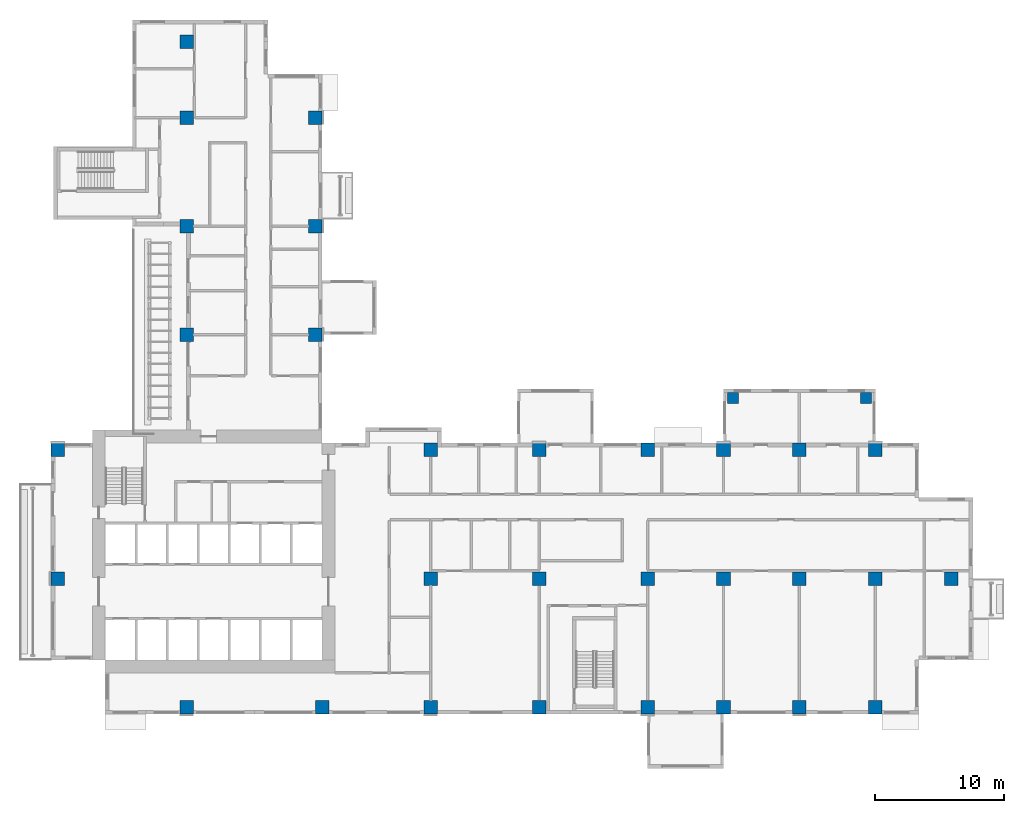
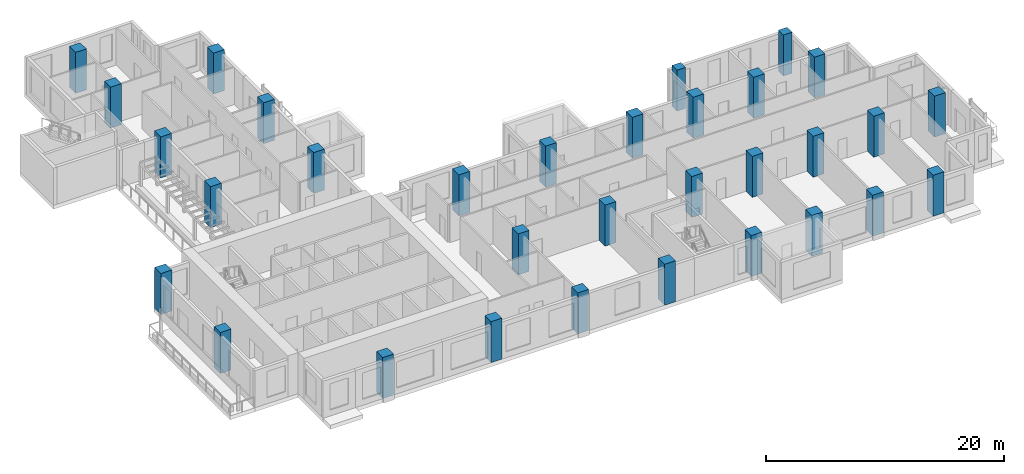
# One storey, part 1 of 16: 32 columns.
"""IFC4 building model written with IfcOpenShell, lengths in metres."""

import ifcopenshell
import ifcopenshell.guid

model = None  # the IFC model being written
_history = None  # IfcOwnerHistory: only IFC2X3 demands one
_inside = {}  # id of a spatial element -> (the spatial element, [elements in it])
_under = {}  # id of a project, library or spatial element -> (it, [spatial elements below it])
_declared = {}  # id of a project -> (the project, [libraries it declares])
_typed = {}  # id of a type object -> (the type object, [elements of that type])
_made_of = {}  # id of a material, layer set ... -> (it, [elements and type objects made of it])


def new_model(schema):
    """Start an empty IFC model of exactly this schema.

    Asked for "IFC4X3", IfcOpenShell would pick the latest addendum, in which some entities
    have other attributes; the version numbers below select the first issue.
    IFC2X3 requires an IfcOwnerHistory on every rooted entity: one is made here for all.
    """
    global model, _history
    if schema == "IFC4X3":
        model = ifcopenshell.file(schema_version=(4, 3, 0, 0))
    else:
        model = ifcopenshell.file(schema=schema)
    _inside.clear()
    _under.clear()
    _declared.clear()
    _typed.clear()
    _made_of.clear()
    _history = None
    if model.schema == "IFC2X3":
        org = make("IfcOrganization", Name="unknown")
        user = make(
            "IfcPersonAndOrganization",
            ThePerson=make("IfcPerson", FamilyName="unknown"),
            TheOrganization=org,
        )
        app = make(
            "IfcApplication",
            ApplicationDeveloper=org,
            Version="unknown",
            ApplicationFullName="unknown",
            ApplicationIdentifier="unknown",
        )
        _history = make(
            "IfcOwnerHistory",
            OwningUser=user,
            OwningApplication=app,
            ChangeAction="ADDED",
            CreationDate=0,
        )
    return model


def make(cls, **values):
    """One entity of the class cls with the attributes given. An attribute that is None is left unset."""
    return model.create_entity(
        cls, **{name: value for name, value in values.items() if value is not None}
    )


def rooted(cls, **values):
    """An entity with a GlobalId (a new one), such as an element, a storey or a relation."""
    return make(cls, GlobalId=ifcopenshell.guid.new(), OwnerHistory=_history, **values)


def si_unit(unit_type, name, prefix=None):
    """IfcSIUnit, for example si_unit("LENGTHUNIT", "METRE", prefix="MILLI")."""
    return make("IfcSIUnit", UnitType=unit_type, Prefix=prefix, Name=name)


def assignment(units):
    """IfcUnitAssignment: the units of a project."""
    return None if units is None else make("IfcUnitAssignment", Units=units)


def point(xyz):
    """IfcCartesianPoint."""
    return None if xyz is None else make("IfcCartesianPoint", Coordinates=xyz)


def direction(xyz):
    """IfcDirection."""
    return None if xyz is None else make("IfcDirection", DirectionRatios=xyz)


def frame(location, z_axis=None, x_axis=None):
    """IfcAxis2Placement3D, a coordinate frame: its origin and axes. An axis left out is left unset."""
    return make(
        "IfcAxis2Placement3D",
        Location=point(location),
        Axis=direction(z_axis),
        RefDirection=direction(x_axis),
    )


def frame_2d(location, x_axis=None):
    """IfcAxis2Placement2D, a coordinate frame in the plane: its origin and x axis."""
    return make(
        "IfcAxis2Placement2D", Location=point(location), RefDirection=direction(x_axis)
    )


def origin():
    """The frame at (0, 0, 0) with its axes left unset."""
    return frame((0.0, 0.0, 0.0))


def origin_2d():
    """The frame at (0, 0) in the plane with its x axis left unset."""
    return frame_2d((0.0, 0.0))


def place(relative_to, where):
    """IfcLocalPlacement: puts the frame where relative to a parent placement (None: the world)."""
    return make(
        "IfcLocalPlacement", PlacementRelTo=relative_to, RelativePlacement=where
    )


def context(
    kind, dimensions, precision=None, world=None, true_north=None, identifier=None
):
    """IfcGeometricRepresentationContext, for example the 3D "Model" context."""
    return make(
        "IfcGeometricRepresentationContext",
        ContextIdentifier=identifier,
        ContextType=kind,
        CoordinateSpaceDimension=dimensions,
        Precision=precision,
        WorldCoordinateSystem=world,
        TrueNorth=true_north,
    )


def subcontext(parent, identifier, kind, view, scale=None):
    """IfcGeometricRepresentationSubContext, for example "Body" below "Model"."""
    return make(
        "IfcGeometricRepresentationSubContext",
        ContextIdentifier=identifier,
        ContextType=kind,
        ParentContext=parent,
        TargetScale=scale,
        TargetView=view,
    )


def project(units=None, contexts=None):
    """IfcProject with its units and contexts."""
    return rooted(
        "IfcProject",
        Name="project",
        RepresentationContexts=contexts,
        UnitsInContext=assignment(units),
    )


def spatial(cls, under=None, at=None, **own):
    """A site, building, storey or space (cls), placed at a placement, below another one or the project."""
    s = rooted(cls, ObjectPlacement=at, **own)
    if under is not None:
        _under.setdefault(under.id(), (under, []))[1].append(s)
    return s


def profile(cls, at=None, kind="AREA", **sizes):
    """A parametric profile (cls). Its sizes go by their IFC names, for example OverallWidth=200.0."""
    return make(cls, ProfileType=kind, Position=at, **sizes)


def rectangle(**sizes):
    """IfcRectangleProfileDef."""
    return profile("IfcRectangleProfileDef", **sizes)


def extrude(swept, where, along, depth):
    """IfcExtrudedAreaSolid: the profile swept, set in the frame where, extruded along a direction by depth."""
    return make(
        "IfcExtrudedAreaSolid",
        SweptArea=swept,
        Position=where,
        ExtrudedDirection=direction(along),
        Depth=depth,
    )


def shape(context_of_items, identifier, shape_type, items):
    """IfcShapeRepresentation: the items that make up one representation, for example the "Body"."""
    return make(
        "IfcShapeRepresentation",
        ContextOfItems=context_of_items,
        RepresentationIdentifier=identifier,
        RepresentationType=shape_type,
        Items=items,
    )


def source(mapping_origin, context_of_items, identifier, shape_type, items):
    """IfcRepresentationMap: a shape defined once, which mapped items show again and again."""
    return make(
        "IfcRepresentationMap",
        MappingOrigin=mapping_origin,
        MappedRepresentation=shape(context_of_items, identifier, shape_type, items),
    )


def transform(
    local_origin,
    x_axis=None,
    y_axis=None,
    z_axis=None,
    scale=None,
    scale2=None,
    scale3=None,
    uniform=True,
):
    """IfcCartesianTransformationOperator3D, or its non-uniform kind. x_axis, y_axis, z_axis: its Axis1, 2, 3."""
    if uniform:
        return make(
            "IfcCartesianTransformationOperator3D",
            Axis1=direction(x_axis),
            Axis2=direction(y_axis),
            LocalOrigin=point(local_origin),
            Scale=scale,
            Axis3=direction(z_axis),
        )
    return make(
        "IfcCartesianTransformationOperator3DnonUniform",
        Axis1=direction(x_axis),
        Axis2=direction(y_axis),
        LocalOrigin=point(local_origin),
        Scale=scale,
        Axis3=direction(z_axis),
        Scale2=scale2,
        Scale3=scale3,
    )


def mapped(mapping_source, mapping_target):
    """IfcMappedItem: shows the shape of a source again, moved by a transform."""
    return make(
        "IfcMappedItem", MappingSource=mapping_source, MappingTarget=mapping_target
    )


def material(Name=None, Category=None):
    """IfcMaterial."""
    return make("IfcMaterial", Name=Name, Category=Category)


def material_profile(
    of_material, cross_section, Name=None, Category=None, Priority=None
):
    """IfcMaterialProfile: a cross section and its material."""
    return make(
        "IfcMaterialProfile",
        Name=Name,
        Material=of_material,
        Profile=cross_section,
        Priority=Priority,
        Category=Category,
    )


def profile_set(profiles, Name=None, composite=None):
    """IfcMaterialProfileSet."""
    return make(
        "IfcMaterialProfileSet",
        Name=Name,
        MaterialProfiles=profiles,
        CompositeProfile=composite,
    )


def made_of(thing, what):
    """Note that an element or type object is made of a material, layer set ...; save() writes the relation."""
    if what is not None:
        _made_of.setdefault(what.id(), (what, []))[1].append(thing)
    return thing


def type_object(cls, material=None, **own):
    """A type object (cls), such as IfcWallType, which elements share."""
    return made_of(rooted(cls, **own), material)


def element(
    cls,
    number,
    at=None,
    inside=None,
    cuts=None,
    type_object=None,
    material=None,
    context=None,
    identifier="Body",
    shape_type=None,
    held_by="IfcProductDefinitionShape",
    body=None,
    shapes=None,
    **own,
):
    """One element of the class cls, such as IfcWall. Its Tag is "e" and its number.

    at: its placement. inside: the storey or other place that contains it. cuts: it is an
    opening in that element (IfcRelVoidsElement). A single representation is given by context,
    identifier, shape_type and body (its items); several are given by shapes. held_by: the class
    of the entity that holds the representations. save() writes the other relations.
    """
    e = rooted(cls, Tag="e%d" % number, ObjectPlacement=at, **own)
    if body is not None:
        shapes = [shape(context, identifier, shape_type, body)]
    if shapes is not None:
        e.Representation = make(held_by, Representations=shapes)
    if inside is not None:
        _inside.setdefault(inside.id(), (inside, []))[1].append(e)
    if cuts is not None:
        rooted(
            "IfcRelVoidsElement", RelatingBuildingElement=cuts, RelatedOpeningElement=e
        )
    if type_object is not None:
        _typed.setdefault(type_object.id(), (type_object, []))[1].append(e)
    return made_of(e, material)


def aggregate(whole, parts):
    """IfcRelAggregates: a whole, such as a stair, and the parts it consists of."""
    return rooted("IfcRelAggregates", RelatingObject=whole, RelatedObjects=parts)


def save(model, path):
    """Write the relations noted so far, then the file.

    IfcRelAggregates (storeys below a building ...), IfcRelContainedInSpatialStructure (elements
    in a storey), IfcRelDefinesByType, IfcRelAssociatesMaterial and IfcRelDeclares: one each for
    every whole, place, type object, material and project.
    """
    for whole, parts in _under.values():
        aggregate(whole, parts)
    for where, things in _inside.values():
        rooted(
            "IfcRelContainedInSpatialStructure",
            RelatedElements=things,
            RelatingStructure=where,
        )
    for kind, things in _typed.values():
        rooted("IfcRelDefinesByType", RelatedObjects=things, RelatingType=kind)
    for what, things in _made_of.values():
        rooted("IfcRelAssociatesMaterial", RelatedObjects=things, RelatingMaterial=what)
    for by, libraries in _declared.values():
        rooted("IfcRelDeclares", RelatingContext=by, RelatedDefinitions=libraries)
    model.write(path)


model = new_model("IFC4")

# Units and contexts
model_context = context("Model", 3, precision=1e-05, world=origin(), true_north=direction((0.0, 1.0)))
body_context = subcontext(model_context, "Body", "Model", "MODEL_VIEW")
ifc_project = project(units=[si_unit("LENGTHUNIT", "METRE"), si_unit("AREAUNIT", "SQUARE_METRE"), si_unit("VOLUMEUNIT", "CUBIC_METRE"), si_unit("PLANEANGLEUNIT", "RADIAN"), si_unit("MASSUNIT", "GRAM", prefix="KILO")], contexts=[model_context])

# Site, building, storey
site_placement = place(None, origin())
site = spatial("IfcSite", under=ifc_project, at=site_placement, CompositionType="ELEMENT")
building_placement = place(site_placement, origin())
building = spatial("IfcBuilding", under=site, at=building_placement, Name="Aurelian Terraces", CompositionType="ELEMENT")
storey_placement = place(building_placement, frame((0.0, 0.0, 124.5)))
storey = spatial("IfcBuildingStorey", under=building, at=storey_placement, Name="L27", CompositionType="ELEMENT", Elevation=124.5)

# Columns
ifc_material_1 = material(Name="Concrete fc' 83 MPa", Category="concrete")
ifc_material_profile_1 = material_profile(ifc_material_1, rectangle(XDim=1.05, YDim=1.05, at=origin_2d()))
ifc_profile_set_1 = profile_set([ifc_material_profile_1], Name="Concrete fc' 83 MPa")
column_type_1 = type_object("IfcColumnType", Name="RC COLUMN 1050X1050 FC83", PredefinedType="COLUMN", material=ifc_profile_set_1)
shared_shape_1 = source(origin(), body_context, "Body", "SweptSolid", [
    extrude(rectangle(XDim=1.05, YDim=1.05, at=origin_2d()), origin(), (0.0, 0.0, 1.0), 4.2),
])
for number, where, z_axis, x_axis, name in (
    (1, (10.5, 0.525, 0.0), (0.0, 0.0, 1.0), (1.0, 0.0, 0.0), "Column 2/A L27"),
    (2, (21.0, 0.525, 0.0), (0.0, 0.0, 1.0), (1.0, 0.0, 0.0), "Column 3/A L27"),
    (3, (29.4, 0.525, 0.0), (0.0, 0.0, 1.0), (1.0, 0.0, 0.0), "Column 4/A L27"),
    (4, (37.8, 0.525, 0.0), (0.0, 0.0, 1.0), (1.0, 0.0, 0.0), "Column 5/A L27"),
    (5, (46.2, 0.525, 0.0), (0.0, 0.0, 1.0), (1.0, 0.0, 0.0), "Column 6/A L27"),
    (6, (52.08, 0.525, 0.0), (0.0, 0.0, 1.0), (1.0, 0.0, 0.0), "Column 7/A L27"),
    (7, (57.96, 0.525, 0.0), (0.0, 0.0, 1.0), (1.0, 0.0, 0.0), "Column 8/A L27"),
    (8, (63.84, 0.525, 0.0), (0.0, 0.0, 1.0), (1.0, 0.0, 0.0), "Column 9/A L27"),
    (9, (0.525, 10.5, 0.0), (0.0, 0.0, 1.0), (1.0, 0.0, 0.0), "Column 1/B L27"),
    (10, (29.4, 10.5, 0.0), (0.0, 0.0, 1.0), (1.0, 0.0, 0.0), "Column 4/B L27"),
    (11, (37.8, 10.5, 0.0), (0.0, 0.0, 1.0), (1.0, 0.0, 0.0), "Column 5/B L27"),
    (12, (46.2, 10.5, 0.0), (0.0, 0.0, 1.0), (1.0, 0.0, 0.0), "Column 6/B L27"),
    (13, (52.08, 10.5, 0.0), (0.0, 0.0, 1.0), (1.0, 0.0, 0.0), "Column 7/B L27"),
    (14, (57.96, 10.5, 0.0), (0.0, 0.0, 1.0), (1.0, 0.0, 0.0), "Column 8/B L27"),
    (15, (63.84, 10.5, 0.0), (0.0, 0.0, 1.0), (1.0, 0.0, 0.0), "Column 9/B L27"),
    (16, (69.72, 10.5, 0.0), (0.0, 0.0, 1.0), (1.0, 0.0, 0.0), "Column 10/B L27"),
    (17, (0.525, 20.475, 0.0), (0.0, 0.0, 1.0), (1.0, 0.0, 0.0), "Column 1/C L27"),
    (18, (29.4, 20.475, 0.0), (0.0, 0.0, 1.0), (1.0, 0.0, 0.0), "Column 4/C L27"),
    (19, (37.8, 20.475, 0.0), (0.0, 0.0, 1.0), (1.0, 0.0, 0.0), "Column 5/C L27"),
    (20, (46.2, 20.475, 0.0), (0.0, 0.0, 1.0), (1.0, 0.0, 0.0), "Column 6/C L27"),
    (21, (52.08, 20.475, 0.0), (0.0, 0.0, 1.0), (1.0, 0.0, 0.0), "Column 7/C L27"),
    (22, (57.96, 20.475, 0.0), (0.0, 0.0, 1.0), (1.0, 0.0, 0.0), "Column 8/C L27"),
    (23, (63.84, 20.475, 0.0), (0.0, 0.0, 1.0), (1.0, 0.0, 0.0), "Column 9/C L27"),
    (24, (10.5, 29.4, 0.0), (0.0, 0.0, 1.0), (1.0, 0.0, 0.0), "Column 2/D L27"),
    (25, (20.475, 29.4, 0.0), (0.0, 0.0, 1.0), (1.0, 0.0, 0.0), "Column 3/D L27"),
    (26, (10.5, 37.8, 0.0), (0.0, 0.0, 1.0), (1.0, 0.0, 0.0), "Column 2/E L27"),
    (27, (20.475, 37.8, 0.0), (0.0, 0.0, 1.0), (1.0, 0.0, 0.0), "Column 3/E L27"),
    (28, (10.5, 46.2, 0.0), (0.0, 0.0, 1.0), (1.0, 0.0, 0.0), "Column 2/F L27"),
    (29, (20.475, 46.2, 0.0), (0.0, 0.0, 1.0), (1.0, 0.0, 0.0), "Column 3/F L27"),
    (30, (10.5, 52.08, 0.0), (0.0, 0.0, 1.0), (1.0, 0.0, 0.0), "Column 2/G L27"),
):
    element("IfcColumn", number, at=place(storey_placement, frame(where, z_axis=z_axis, x_axis=x_axis)), inside=storey, type_object=column_type_1, Name=name, PredefinedType="COLUMN", context=body_context, shape_type="MappedRepresentation", body=[
        mapped(shared_shape_1, transform((0.0, 0.0, 0.0), scale=1.0)),
    ])
ifc_material_2 = material(Name="Concrete fc' 55 MPa", Category="concrete")
ifc_material_profile_2 = material_profile(ifc_material_2, rectangle(XDim=0.84, YDim=0.84, at=origin_2d()))
ifc_profile_set_2 = profile_set([ifc_material_profile_2], Name="Concrete fc' 55 MPa")
column_type_2 = type_object("IfcColumnType", Name="BLOCK CORNER PIER 840X840", PredefinedType="COLUMN", material=ifc_profile_set_2)
shared_shape_2 = source(origin(), body_context, "Body", "SweptSolid", [
    extrude(rectangle(XDim=0.84, YDim=0.84, at=origin_2d()), origin(), (0.0, 0.0, 1.0), 4.2),
])
for number, where, z_axis, x_axis, name in (
    (31, (52.805, 24.48, 0.0), (0.0, 0.0, 1.0), (1.0, 0.0, 0.0), "Block pier K02.1 L27"),
    (32, (63.115, 24.48, 0.0), (0.0, 0.0, 1.0), (1.0, 0.0, 0.0), "Block pier K02.2 L27"),
):
    element("IfcColumn", number, at=place(storey_placement, frame(where, z_axis=z_axis, x_axis=x_axis)), inside=storey, type_object=column_type_2, Name=name, PredefinedType="COLUMN", context=body_context, shape_type="MappedRepresentation", body=[
        mapped(shared_shape_2, transform((0.0, 0.0, 0.0), scale=1.0)),
    ])

save(model, "model.ifc")
